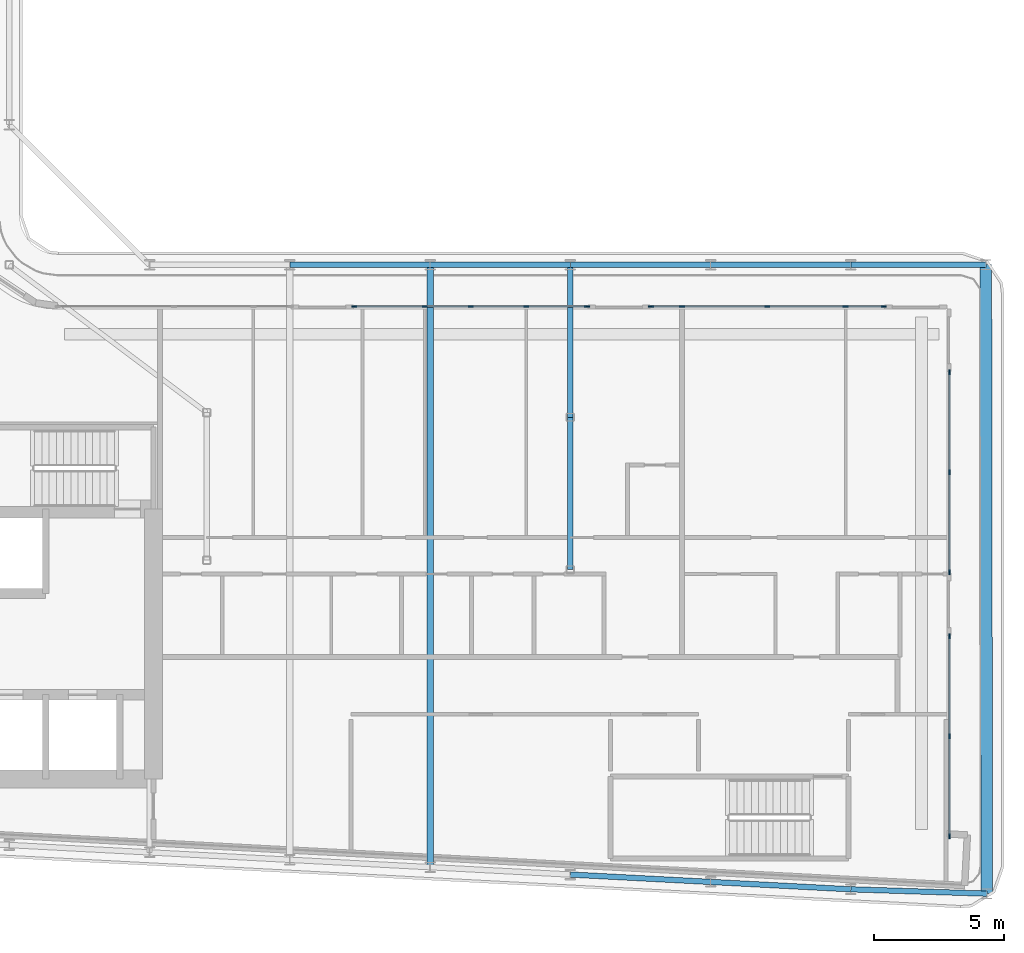
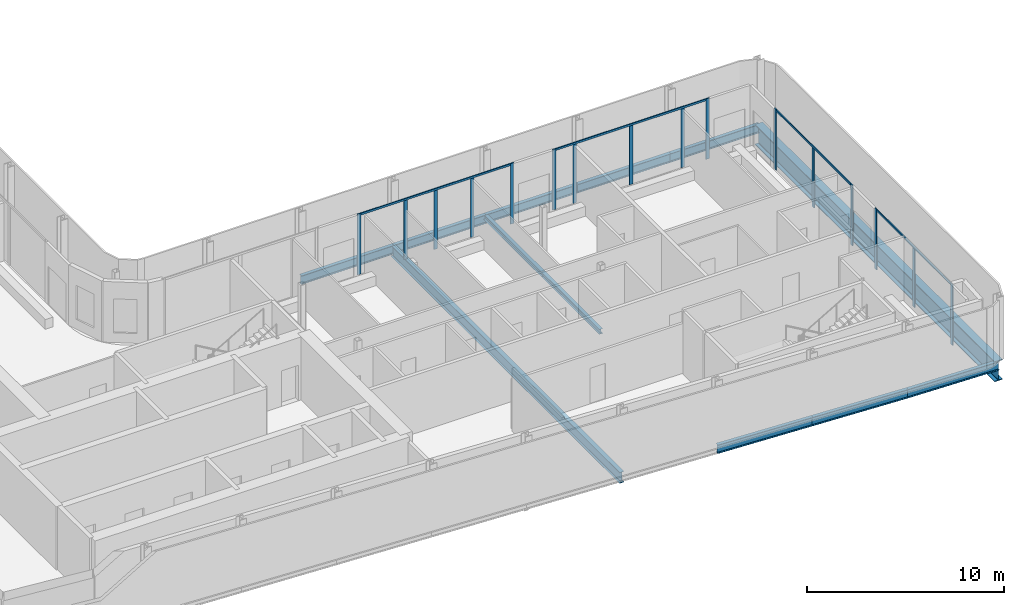
# One storey, part 5 of 21: 20 members, 12 beams, 4 elements without a shape of their own.
"""IFC4 building model written with IfcOpenShell, lengths in metres."""

import ifcopenshell
import ifcopenshell.guid

model = None  # the IFC model being written
_history = None  # IfcOwnerHistory: only IFC2X3 demands one
_inside = {}  # id of a spatial element -> (the spatial element, [elements in it])
_under = {}  # id of a project, library or spatial element -> (it, [spatial elements below it])
_declared = {}  # id of a project -> (the project, [libraries it declares])
_typed = {}  # id of a type object -> (the type object, [elements of that type])
_made_of = {}  # id of a material, layer set ... -> (it, [elements and type objects made of it])


def new_model(schema):
    """Start an empty IFC model of exactly this schema.

    Asked for "IFC4X3", IfcOpenShell would pick the latest addendum, in which some entities
    have other attributes; the version numbers below select the first issue.
    IFC2X3 requires an IfcOwnerHistory on every rooted entity: one is made here for all.
    """
    global model, _history
    if schema == "IFC4X3":
        model = ifcopenshell.file(schema_version=(4, 3, 0, 0))
    else:
        model = ifcopenshell.file(schema=schema)
    _inside.clear()
    _under.clear()
    _declared.clear()
    _typed.clear()
    _made_of.clear()
    _history = None
    if model.schema == "IFC2X3":
        org = make("IfcOrganization", Name="unknown")
        user = make(
            "IfcPersonAndOrganization",
            ThePerson=make("IfcPerson", FamilyName="unknown"),
            TheOrganization=org,
        )
        app = make(
            "IfcApplication",
            ApplicationDeveloper=org,
            Version="unknown",
            ApplicationFullName="unknown",
            ApplicationIdentifier="unknown",
        )
        _history = make(
            "IfcOwnerHistory",
            OwningUser=user,
            OwningApplication=app,
            ChangeAction="ADDED",
            CreationDate=0,
        )
    return model


def make(cls, **values):
    """One entity of the class cls with the attributes given. An attribute that is None is left unset."""
    return model.create_entity(
        cls, **{name: value for name, value in values.items() if value is not None}
    )


def rooted(cls, **values):
    """An entity with a GlobalId (a new one), such as an element, a storey or a relation."""
    return make(cls, GlobalId=ifcopenshell.guid.new(), OwnerHistory=_history, **values)


def si_unit(unit_type, name, prefix=None):
    """IfcSIUnit, for example si_unit("LENGTHUNIT", "METRE", prefix="MILLI")."""
    return make("IfcSIUnit", UnitType=unit_type, Prefix=prefix, Name=name)


def assignment(units):
    """IfcUnitAssignment: the units of a project."""
    return None if units is None else make("IfcUnitAssignment", Units=units)


def point(xyz):
    """IfcCartesianPoint."""
    return None if xyz is None else make("IfcCartesianPoint", Coordinates=xyz)


def direction(xyz):
    """IfcDirection."""
    return None if xyz is None else make("IfcDirection", DirectionRatios=xyz)


def frame(location, z_axis=None, x_axis=None):
    """IfcAxis2Placement3D, a coordinate frame: its origin and axes. An axis left out is left unset."""
    return make(
        "IfcAxis2Placement3D",
        Location=point(location),
        Axis=direction(z_axis),
        RefDirection=direction(x_axis),
    )


def frame_2d(location, x_axis=None):
    """IfcAxis2Placement2D, a coordinate frame in the plane: its origin and x axis."""
    return make(
        "IfcAxis2Placement2D", Location=point(location), RefDirection=direction(x_axis)
    )


def origin():
    """The frame at (0, 0, 0) with its axes left unset."""
    return frame((0.0, 0.0, 0.0))


def origin_2d():
    """The frame at (0, 0) in the plane with its x axis left unset."""
    return frame_2d((0.0, 0.0))


def place(relative_to, where):
    """IfcLocalPlacement: puts the frame where relative to a parent placement (None: the world)."""
    return make(
        "IfcLocalPlacement", PlacementRelTo=relative_to, RelativePlacement=where
    )


def context(
    kind, dimensions, precision=None, world=None, true_north=None, identifier=None
):
    """IfcGeometricRepresentationContext, for example the 3D "Model" context."""
    return make(
        "IfcGeometricRepresentationContext",
        ContextIdentifier=identifier,
        ContextType=kind,
        CoordinateSpaceDimension=dimensions,
        Precision=precision,
        WorldCoordinateSystem=world,
        TrueNorth=true_north,
    )


def subcontext(parent, identifier, kind, view, scale=None):
    """IfcGeometricRepresentationSubContext, for example "Body" below "Model"."""
    return make(
        "IfcGeometricRepresentationSubContext",
        ContextIdentifier=identifier,
        ContextType=kind,
        ParentContext=parent,
        TargetScale=scale,
        TargetView=view,
    )


def project(units=None, contexts=None):
    """IfcProject with its units and contexts."""
    return rooted(
        "IfcProject",
        Name="project",
        RepresentationContexts=contexts,
        UnitsInContext=assignment(units),
    )


def spatial(cls, under=None, at=None, **own):
    """A site, building, storey or space (cls), placed at a placement, below another one or the project."""
    s = rooted(cls, ObjectPlacement=at, **own)
    if under is not None:
        _under.setdefault(under.id(), (under, []))[1].append(s)
    return s


def profile(cls, at=None, kind="AREA", **sizes):
    """A parametric profile (cls). Its sizes go by their IFC names, for example OverallWidth=200.0."""
    return make(cls, ProfileType=kind, Position=at, **sizes)


def rectangle(**sizes):
    """IfcRectangleProfileDef."""
    return profile("IfcRectangleProfileDef", **sizes)


def i_section(**sizes):
    """IfcIShapeProfileDef."""
    return profile("IfcIShapeProfileDef", **sizes)


def extrude(swept, where, along, depth):
    """IfcExtrudedAreaSolid: the profile swept, set in the frame where, extruded along a direction by depth."""
    return make(
        "IfcExtrudedAreaSolid",
        SweptArea=swept,
        Position=where,
        ExtrudedDirection=direction(along),
        Depth=depth,
    )


def shape(context_of_items, identifier, shape_type, items):
    """IfcShapeRepresentation: the items that make up one representation, for example the "Body"."""
    return make(
        "IfcShapeRepresentation",
        ContextOfItems=context_of_items,
        RepresentationIdentifier=identifier,
        RepresentationType=shape_type,
        Items=items,
    )


def material(Name=None, Category=None):
    """IfcMaterial."""
    return make("IfcMaterial", Name=Name, Category=Category)


def layer(
    of_material, thickness, ventilated=None, Name=None, Category=None, Priority=None
):
    """IfcMaterialLayer: one layer of a wall or slab, of a material (None: an air gap)."""
    return make(
        "IfcMaterialLayer",
        Material=of_material,
        LayerThickness=thickness,
        IsVentilated=ventilated,
        Name=Name,
        Category=Category,
        Priority=Priority,
    )


def layer_set(layers, Name=None):
    """IfcMaterialLayerSet."""
    return make("IfcMaterialLayerSet", MaterialLayers=layers, LayerSetName=Name)


def material_profile(
    of_material, cross_section, Name=None, Category=None, Priority=None
):
    """IfcMaterialProfile: a cross section and its material."""
    return make(
        "IfcMaterialProfile",
        Name=Name,
        Material=of_material,
        Profile=cross_section,
        Priority=Priority,
        Category=Category,
    )


def profile_set(profiles, Name=None, composite=None):
    """IfcMaterialProfileSet."""
    return make(
        "IfcMaterialProfileSet",
        Name=Name,
        MaterialProfiles=profiles,
        CompositeProfile=composite,
    )


def made_of(thing, what):
    """Note that an element or type object is made of a material, layer set ...; save() writes the relation."""
    if what is not None:
        _made_of.setdefault(what.id(), (what, []))[1].append(thing)
    return thing


def type_object(cls, material=None, **own):
    """A type object (cls), such as IfcWallType, which elements share."""
    return made_of(rooted(cls, **own), material)


def element(
    cls,
    number,
    at=None,
    inside=None,
    cuts=None,
    type_object=None,
    material=None,
    context=None,
    identifier="Body",
    shape_type=None,
    held_by="IfcProductDefinitionShape",
    body=None,
    shapes=None,
    **own,
):
    """One element of the class cls, such as IfcWall. Its Tag is "e" and its number.

    at: its placement. inside: the storey or other place that contains it. cuts: it is an
    opening in that element (IfcRelVoidsElement). A single representation is given by context,
    identifier, shape_type and body (its items); several are given by shapes. held_by: the class
    of the entity that holds the representations. save() writes the other relations.
    """
    e = rooted(cls, Tag="e%d" % number, ObjectPlacement=at, **own)
    if body is not None:
        shapes = [shape(context, identifier, shape_type, body)]
    if shapes is not None:
        e.Representation = make(held_by, Representations=shapes)
    if inside is not None:
        _inside.setdefault(inside.id(), (inside, []))[1].append(e)
    if cuts is not None:
        rooted(
            "IfcRelVoidsElement", RelatingBuildingElement=cuts, RelatedOpeningElement=e
        )
    if type_object is not None:
        _typed.setdefault(type_object.id(), (type_object, []))[1].append(e)
    return made_of(e, material)


def aggregate(whole, parts):
    """IfcRelAggregates: a whole, such as a stair, and the parts it consists of."""
    return rooted("IfcRelAggregates", RelatingObject=whole, RelatedObjects=parts)


def save(model, path):
    """Write the relations noted so far, then the file.

    IfcRelAggregates (storeys below a building ...), IfcRelContainedInSpatialStructure (elements
    in a storey), IfcRelDefinesByType, IfcRelAssociatesMaterial and IfcRelDeclares: one each for
    every whole, place, type object, material and project.
    """
    for whole, parts in _under.values():
        aggregate(whole, parts)
    for where, things in _inside.values():
        rooted(
            "IfcRelContainedInSpatialStructure",
            RelatedElements=things,
            RelatingStructure=where,
        )
    for kind, things in _typed.values():
        rooted("IfcRelDefinesByType", RelatedObjects=things, RelatingType=kind)
    for what, things in _made_of.values():
        rooted("IfcRelAssociatesMaterial", RelatedObjects=things, RelatingMaterial=what)
    for by, libraries in _declared.values():
        rooted("IfcRelDeclares", RelatingContext=by, RelatedDefinitions=libraries)
    model.write(path)


model = new_model("IFC4")

# Units and contexts
model_context = context("Model", 3, precision=1e-05, world=origin(), true_north=direction((0.0, 1.0)))
body_context = subcontext(model_context, "Body", "Model", "MODEL_VIEW")
ifc_project = project(units=[si_unit("LENGTHUNIT", "METRE"), si_unit("AREAUNIT", "SQUARE_METRE"), si_unit("VOLUMEUNIT", "CUBIC_METRE"), si_unit("PLANEANGLEUNIT", "RADIAN"), si_unit("MASSUNIT", "GRAM", prefix="KILO")], contexts=[model_context])

# Site, building, storey
site_placement = place(None, origin())
site = spatial("IfcSite", under=ifc_project, at=site_placement, CompositionType="ELEMENT")
building_placement = place(site_placement, origin())
building = spatial("IfcBuilding", under=site, at=building_placement, Name="Kheshtan School and Residences Tower", CompositionType="ELEMENT")
storey_placement = place(building_placement, frame((0.0, 0.0, 224.0)))
storey = spatial("IfcBuildingStorey", under=building, at=storey_placement, Name="L52", CompositionType="ELEMENT", Elevation=224.0)

# Beams
ifc_material_1 = material(Name="Steel ASTM A992 Grade 50", Category="steel")
ifc_material_profile_1 = material_profile(ifc_material_1, i_section(OverallWidth=0.202880859375, OverallDepth=0.302978515625, WebThickness=0.007568359375, FlangeThickness=0.01318359375, FilletRadius=0.009033203125, at=origin_2d()), Name="W310x60")
ifc_profile_set_1 = profile_set([ifc_material_profile_1], Name="Steel ASTM A992 Grade 50")
beam_type_1 = type_object("IfcBeamType", Name="Beam FB1 W310x60 ASTM A992 Grade 50", PredefinedType="BEAM", material=ifc_profile_set_1)
beam_1_placement = place(storey_placement, frame((69.199951171875, 45.60009765625, -0.301513671875), z_axis=(0.0, -1.0, 0.0), x_axis=(1.0, 0.0, 0.0)))
element("IfcBeam", 1, at=beam_1_placement, inside=storey, type_object=beam_type_1, Name="Floor beam C064", PredefinedType="BEAM", context=body_context, shape_type="SweptSolid", body=[
    extrude(i_section(OverallWidth=0.202880859375, OverallDepth=0.302978515625, WebThickness=0.007568359375, FlangeThickness=0.01318359375, FilletRadius=0.009033203125, at=origin_2d()), origin(), (0.0, 0.0, 1.0), 5.8681640625),
])
beam_2_placement = place(storey_placement, frame((69.199951171875, 33.863037109375, -0.301513671875), z_axis=(0.0, 1.0, 0.0), x_axis=(-1.0, 0.0, 0.0)))
element("IfcBeam", 2, at=beam_2_placement, inside=storey, type_object=beam_type_1, Name="Floor beam IC", PredefinedType="BEAM", context=body_context, shape_type="SweptSolid", body=[
    extrude(i_section(OverallWidth=0.202880859375, OverallDepth=0.302978515625, WebThickness=0.007568359375, FlangeThickness=0.01318359375, FilletRadius=0.009033203125, at=origin_2d()), origin(), (0.0, 0.0, 1.0), 5.868896484375),
])
ifc_material_profile_2 = material_profile(ifc_material_1, i_section(OverallWidth=0.2529296875, OverallDepth=0.677978515625, WebThickness=0.01171875, FlangeThickness=0.016357421875, FilletRadius=0.0146484375, at=origin_2d()), Name="W690x125")
ifc_profile_set_2 = profile_set([ifc_material_profile_2], Name="Steel ASTM A992 Grade 50")
beam_type_2 = type_object("IfcBeamType", Name="Beam FB6 W690x125 ASTM A992 Grade 50", PredefinedType="BEAM", material=ifc_profile_set_2)
beam_3_placement = place(storey_placement, frame((63.800048828125, 22.410888671875, -0.489013671875), z_axis=(0.0, 1.0, 0.0), x_axis=(-1.0, 0.0, 0.0)))
element("IfcBeam", 3, at=beam_3_placement, inside=storey, type_object=beam_type_2, Name="Floor beam C016", PredefinedType="BEAM", context=body_context, shape_type="SweptSolid", body=[
    extrude(i_section(OverallWidth=0.2529296875, OverallDepth=0.677978515625, WebThickness=0.01171875, FlangeThickness=0.016357421875, FilletRadius=0.0146484375, at=origin_2d()), origin(), (0.0, 0.0, 1.0), 23.189208984375),
])
ifc_material_profile_3 = material_profile(ifc_material_1, i_section(OverallWidth=0.208984375, OverallDepth=0.532958984375, WebThickness=0.01025390625, FlangeThickness=0.015625, FilletRadius=0.013916015625, at=origin_2d()), Name="W530x92")
ifc_profile_set_3 = profile_set([ifc_material_profile_3], Name="Steel ASTM A992 Grade 50")
beam_type_3 = type_object("IfcBeamType", Name="Beam SP3 W530x92 ASTM A992 Grade 50", PredefinedType="BEAM", material=ifc_profile_set_3)
beam_4_placement = place(storey_placement, frame((58.39990234375, 45.60009765625, -0.41650390625), z_axis=(1.0, 0.0, 0.0), x_axis=(0.0, 1.0, 0.0)))
element("IfcBeam", 4, at=beam_4_placement, inside=storey, type_object=beam_type_3, Name="Spandrel beam C062-C063", PredefinedType="BEAM", context=body_context, shape_type="SweptSolid", body=[
    extrude(i_section(OverallWidth=0.208984375, OverallDepth=0.532958984375, WebThickness=0.01025390625, FlangeThickness=0.015625, FilletRadius=0.013916015625, at=origin_2d()), origin(), (0.0, 0.0, 1.0), 5.400146484375),
])
beam_5_placement = place(storey_placement, frame((63.800048828125, 45.60009765625, -0.41650390625), z_axis=(1.0, 0.0, 0.0), x_axis=(0.0, 1.0, 0.0)))
element("IfcBeam", 5, at=beam_5_placement, inside=storey, type_object=beam_type_3, Name="Spandrel beam C063-C064", PredefinedType="BEAM", context=body_context, shape_type="SweptSolid", body=[
    extrude(i_section(OverallWidth=0.208984375, OverallDepth=0.532958984375, WebThickness=0.01025390625, FlangeThickness=0.015625, FilletRadius=0.013916015625, at=origin_2d()), origin(), (0.0, 0.0, 1.0), 5.39990234375),
])
beam_6_placement = place(storey_placement, frame((69.199951171875, 45.60009765625, -0.41650390625), z_axis=(1.0, 0.0, 0.0), x_axis=(0.0, 1.0, 0.0)))
element("IfcBeam", 6, at=beam_6_placement, inside=storey, type_object=beam_type_3, Name="Spandrel beam C064-C065", PredefinedType="BEAM", context=body_context, shape_type="SweptSolid", body=[
    extrude(i_section(OverallWidth=0.208984375, OverallDepth=0.532958984375, WebThickness=0.01025390625, FlangeThickness=0.015625, FilletRadius=0.013916015625, at=origin_2d()), origin(), (0.0, 0.0, 1.0), 5.400146484375),
])
beam_7_placement = place(storey_placement, frame((74.60009765625, 45.60009765625, -0.41650390625), z_axis=(1.0, 0.0, 0.0), x_axis=(0.0, 1.0, 0.0)))
element("IfcBeam", 7, at=beam_7_placement, inside=storey, type_object=beam_type_3, Name="Spandrel beam C065-C066", PredefinedType="BEAM", context=body_context, shape_type="SweptSolid", body=[
    extrude(i_section(OverallWidth=0.208984375, OverallDepth=0.532958984375, WebThickness=0.01025390625, FlangeThickness=0.015625, FilletRadius=0.013916015625, at=origin_2d()), origin(), (0.0, 0.0, 1.0), 5.39990234375),
])
beam_8_placement = place(storey_placement, frame((80.0, 45.60009765625, -0.41650390625), z_axis=(0.999999135894, 0.001314614574, 0.0), x_axis=(-0.001314614574, 0.999999135894, 0.0)))
element("IfcBeam", 8, at=beam_8_placement, inside=storey, type_object=beam_type_3, Name="Spandrel beam C066-C071", PredefinedType="BEAM", context=body_context, shape_type="SweptSolid", body=[
    extrude(i_section(OverallWidth=0.208984375, OverallDepth=0.532958984375, WebThickness=0.01025390625, FlangeThickness=0.015625, FilletRadius=0.013916015625, at=origin_2d()), origin(), (0.0, 0.0, 1.0), 5.199951171875),
])
beam_9_placement = place(storey_placement, frame((85.238037109375, 21.39111328125, -0.41650390625), z_axis=(-0.999492198162, 0.031864491426, 0.0), x_axis=(-0.031864491426, -0.999492198162, 0.0)))
element("IfcBeam", 9, at=beam_9_placement, inside=storey, type_object=beam_type_3, Name="Spandrel beam C009-C012", PredefinedType="BEAM", context=body_context, shape_type="SweptSolid", body=[
    extrude(i_section(OverallWidth=0.208984375, OverallDepth=0.532958984375, WebThickness=0.01025390625, FlangeThickness=0.015625, FilletRadius=0.013916015625, at=origin_2d()), origin(), (0.0, 0.0, 1.0), 5.24072265625),
])
beam_10_placement = place(storey_placement, frame((80.0, 21.55810546875, -0.41650390625), z_axis=(-0.998610961136, 0.052689166816, 0.0), x_axis=(-0.052689166816, -0.998610961136, 0.0)))
element("IfcBeam", 10, at=beam_10_placement, inside=storey, type_object=beam_type_3, Name="Spandrel beam C012-C013", PredefinedType="BEAM", context=body_context, shape_type="SweptSolid", body=[
    extrude(i_section(OverallWidth=0.208984375, OverallDepth=0.532958984375, WebThickness=0.01025390625, FlangeThickness=0.015625, FilletRadius=0.013916015625, at=origin_2d()), origin(), (0.0, 0.0, 1.0), 5.407470703125),
])
beam_11_placement = place(storey_placement, frame((74.60009765625, 21.843017578125, -0.41650390625), z_axis=(-0.998620571751, 0.05250670125, 0.0), x_axis=(-0.05250670125, -0.998620571751, 0.0)))
element("IfcBeam", 11, at=beam_11_placement, inside=storey, type_object=beam_type_3, Name="Spandrel beam C013-C014", PredefinedType="BEAM", context=body_context, shape_type="SweptSolid", body=[
    extrude(i_section(OverallWidth=0.208984375, OverallDepth=0.532958984375, WebThickness=0.01025390625, FlangeThickness=0.015625, FilletRadius=0.013916015625, at=origin_2d()), origin(), (0.0, 0.0, 1.0), 5.40771484375),
])

# Curtain wall, members
ifc_material_2 = material(Name="Clear low-e glass in thermally broken aluminium frame", Category="aluminium")
ifc_layer = layer(ifc_material_2, 0.199951171875)
ifc_layer_set = layer_set([ifc_layer], Name="Curtain wall CW-L")
curtain_wall_type = type_object("IfcCurtainWallType", Name="Curtain wall CW-L", PredefinedType="NOTDEFINED", material=ifc_layer_set)
curtain_wall_1_placement = place(storey_placement, origin())
curtain_wall_1 = element("IfcCurtainWall", 12, at=curtain_wall_1_placement, inside=storey, type_object=curtain_wall_type, Name="Curtain wall CWL8p", PredefinedType="NOTDEFINED")
ifc_material_3 = material(Name="Thermally broken aluminium, dark bronze anodised", Category="aluminium")
ifc_material_profile_4 = material_profile(ifc_material_3, rectangle(XDim=0.06005859375, YDim=0.199951171875, at=origin_2d()), Name="CW-L mullion 60x200")
ifc_profile_set_4 = profile_set([ifc_material_profile_4], Name="Thermally broken aluminium, dark bronze anodised")
member_type_1 = type_object("IfcMemberType", Name="CW-L mullion 60x200", PredefinedType="MULLION", material=ifc_profile_set_4)
member_1_placement = place(storey_placement, frame((60.88330078125, 44.0, 0.0), z_axis=(0.0, 0.0, 1.0), x_axis=(0.0, 1.0, 0.0)))
member_1 = element("IfcMember", 13, at=member_1_placement, type_object=member_type_1, Name="CWL8p mullion 1", PredefinedType="MULLION", context=body_context, shape_type="SweptSolid", body=[
    extrude(rectangle(XDim=0.06005859375, YDim=0.199951171875, at=origin_2d()), origin(), (0.0, 0.0, 1.0), 3.75),
])
member_2_placement = place(storey_placement, frame((63.60009765625, 44.0, 0.0), z_axis=(0.0, 0.0, 1.0), x_axis=(0.0, 1.0, 0.0)))
member_2 = element("IfcMember", 14, at=member_2_placement, type_object=member_type_1, Name="CWL8p mullion 2", PredefinedType="MULLION", context=body_context, shape_type="SweptSolid", body=[
    extrude(rectangle(XDim=0.06005859375, YDim=0.199951171875, at=origin_2d()), origin(), (0.0, 0.0, 1.0), 3.6298828125),
])
member_3_placement = place(storey_placement, frame((65.364990234375, 44.0, 0.0), z_axis=(0.0, 0.0, 1.0), x_axis=(0.0, 1.0, 0.0)))
member_3 = element("IfcMember", 15, at=member_3_placement, type_object=member_type_1, Name="CWL8p mullion 3", PredefinedType="MULLION", context=body_context, shape_type="SweptSolid", body=[
    extrude(rectangle(XDim=0.06005859375, YDim=0.199951171875, at=origin_2d()), origin(), (0.0, 0.0, 1.0), 3.6298828125),
])
member_4_placement = place(storey_placement, frame((67.5, 44.0, 0.0), z_axis=(0.0, 0.0, 1.0), x_axis=(0.0, 1.0, 0.0)))
member_4 = element("IfcMember", 16, at=member_4_placement, type_object=member_type_1, Name="CWL8p mullion 4", PredefinedType="MULLION", context=body_context, shape_type="SweptSolid", body=[
    extrude(rectangle(XDim=0.06005859375, YDim=0.199951171875, at=origin_2d()), origin(), (0.0, 0.0, 1.0), 3.6298828125),
])
member_5_placement = place(storey_placement, frame((69.8466796875, 44.0, 0.0), z_axis=(0.0, 0.0, 1.0), x_axis=(0.0, 1.0, 0.0)))
member_5 = element("IfcMember", 17, at=member_5_placement, type_object=member_type_1, Name="CWL8p mullion 5", PredefinedType="MULLION", context=body_context, shape_type="SweptSolid", body=[
    extrude(rectangle(XDim=0.06005859375, YDim=0.199951171875, at=origin_2d()), origin(), (0.0, 0.0, 1.0), 3.75),
])

curtain_wall_2_placement = place(storey_placement, origin())
curtain_wall_2 = element("IfcCurtainWall", 18, at=curtain_wall_2_placement, inside=storey, type_object=curtain_wall_type, Name="Curtain wall CWL8p", PredefinedType="NOTDEFINED")
member_6_placement = place(storey_placement, frame((72.306640625, 44.0, 0.0), z_axis=(0.0, 0.0, 1.0), x_axis=(0.0, 1.0, 0.0)))
member_6 = element("IfcMember", 19, at=member_6_placement, type_object=member_type_1, Name="CWL8p mullion 1", PredefinedType="MULLION", context=body_context, shape_type="SweptSolid", body=[
    extrude(rectangle(XDim=0.06005859375, YDim=0.199951171875, at=origin_2d()), origin(), (0.0, 0.0, 1.0), 3.75),
])
member_7_placement = place(storey_placement, frame((73.5, 44.0, 0.0), z_axis=(0.0, 0.0, 1.0), x_axis=(0.0, 1.0, 0.0)))
member_7 = element("IfcMember", 20, at=member_7_placement, type_object=member_type_1, Name="CWL8p mullion 2", PredefinedType="MULLION", context=body_context, shape_type="SweptSolid", body=[
    extrude(rectangle(XDim=0.06005859375, YDim=0.199951171875, at=origin_2d()), origin(), (0.0, 0.0, 1.0), 3.6298828125),
])
member_8_placement = place(storey_placement, frame((76.788330078125, 44.0, 0.0), z_axis=(0.0, 0.0, 1.0), x_axis=(0.0, 1.0, 0.0)))
member_8 = element("IfcMember", 21, at=member_8_placement, type_object=member_type_1, Name="CWL8p mullion 3", PredefinedType="MULLION", context=body_context, shape_type="SweptSolid", body=[
    extrude(rectangle(XDim=0.06005859375, YDim=0.199951171875, at=origin_2d()), origin(), (0.0, 0.0, 1.0), 3.6298828125),
])
member_9_placement = place(storey_placement, frame((79.800048828125, 44.0, 0.0), z_axis=(0.0, 0.0, 1.0), x_axis=(0.0, 1.0, 0.0)))
member_9 = element("IfcMember", 22, at=member_9_placement, type_object=member_type_1, Name="CWL8p mullion 4", PredefinedType="MULLION", context=body_context, shape_type="SweptSolid", body=[
    extrude(rectangle(XDim=0.06005859375, YDim=0.199951171875, at=origin_2d()), origin(), (0.0, 0.0, 1.0), 3.6298828125),
])
member_10_placement = place(storey_placement, frame((81.27001953125, 44.0, 0.0), z_axis=(0.0, 0.0, 1.0), x_axis=(0.0, 1.0, 0.0)))
member_10 = element("IfcMember", 23, at=member_10_placement, type_object=member_type_1, Name="CWL8p mullion 5", PredefinedType="MULLION", context=body_context, shape_type="SweptSolid", body=[
    extrude(rectangle(XDim=0.06005859375, YDim=0.199951171875, at=origin_2d()), origin(), (0.0, 0.0, 1.0), 3.75),
])

curtain_wall_3_placement = place(storey_placement, origin())
curtain_wall_3 = element("IfcCurtainWall", 24, at=curtain_wall_3_placement, inside=storey, type_object=curtain_wall_type, Name="Curtain wall CWL9a", PredefinedType="NOTDEFINED")
member_11_placement = place(storey_placement, frame((83.800048828125, 41.469970703125, 0.0), z_axis=(0.0, 0.0, 1.0), x_axis=(1.0, 0.0, 0.0)))
member_11 = element("IfcMember", 25, at=member_11_placement, type_object=member_type_1, Name="CWL9a mullion 1", PredefinedType="MULLION", context=body_context, shape_type="SweptSolid", body=[
    extrude(rectangle(XDim=0.06005859375, YDim=0.199951171875, at=origin_2d()), origin(), (0.0, 0.0, 1.0), 3.75),
])
member_12_placement = place(storey_placement, frame((83.800048828125, 37.61669921875, 0.0), z_axis=(0.0, 0.0, 1.0), x_axis=(1.0, 0.0, 0.0)))
member_12 = element("IfcMember", 26, at=member_12_placement, type_object=member_type_1, Name="CWL9a mullion 2", PredefinedType="MULLION", context=body_context, shape_type="SweptSolid", body=[
    extrude(rectangle(XDim=0.06005859375, YDim=0.199951171875, at=origin_2d()), origin(), (0.0, 0.0, 1.0), 3.6298828125),
])
member_13_placement = place(storey_placement, frame((83.800048828125, 33.763427734375, 0.0), z_axis=(0.0, 0.0, 1.0), x_axis=(1.0, 0.0, 0.0)))
member_13 = element("IfcMember", 27, at=member_13_placement, type_object=member_type_1, Name="CWL9a mullion 3", PredefinedType="MULLION", context=body_context, shape_type="SweptSolid", body=[
    extrude(rectangle(XDim=0.06005859375, YDim=0.199951171875, at=origin_2d()), origin(), (0.0, 0.0, 1.0), 3.75),
])

curtain_wall_4_placement = place(storey_placement, origin())
curtain_wall_4 = element("IfcCurtainWall", 28, at=curtain_wall_4_placement, inside=storey, type_object=curtain_wall_type, Name="Curtain wall CWL9a", PredefinedType="NOTDEFINED")
member_14_placement = place(storey_placement, frame((83.800048828125, 31.303466796875, 0.0), z_axis=(0.0, 0.0, 1.0), x_axis=(1.0, 0.0, 0.0)))
member_14 = element("IfcMember", 29, at=member_14_placement, type_object=member_type_1, Name="CWL9a mullion 1", PredefinedType="MULLION", context=body_context, shape_type="SweptSolid", body=[
    extrude(rectangle(XDim=0.06005859375, YDim=0.199951171875, at=origin_2d()), origin(), (0.0, 0.0, 1.0), 3.75),
])
member_15_placement = place(storey_placement, frame((83.800048828125, 27.4501953125, 0.0), z_axis=(0.0, 0.0, 1.0), x_axis=(1.0, 0.0, 0.0)))
member_15 = element("IfcMember", 30, at=member_15_placement, type_object=member_type_1, Name="CWL9a mullion 2", PredefinedType="MULLION", context=body_context, shape_type="SweptSolid", body=[
    extrude(rectangle(XDim=0.06005859375, YDim=0.199951171875, at=origin_2d()), origin(), (0.0, 0.0, 1.0), 3.6298828125),
])
member_16_placement = place(storey_placement, frame((83.800048828125, 23.596923828125, 0.0), z_axis=(0.0, 0.0, 1.0), x_axis=(1.0, 0.0, 0.0)))
member_16 = element("IfcMember", 31, at=member_16_placement, type_object=member_type_1, Name="CWL9a mullion 3", PredefinedType="MULLION", context=body_context, shape_type="SweptSolid", body=[
    extrude(rectangle(XDim=0.06005859375, YDim=0.199951171875, at=origin_2d()), origin(), (0.0, 0.0, 1.0), 3.75),
])

# Member
ifc_material_profile_5 = material_profile(ifc_material_3, rectangle(XDim=0.06005859375, YDim=0.1201171875, at=origin_2d()), Name="CW-L transom 60x120")
ifc_profile_set_5 = profile_set([ifc_material_profile_5], Name="Thermally broken aluminium, dark bronze anodised")
member_type_2 = type_object("IfcMemberType", Name="CW-L transom 60x120", PredefinedType="USERDEFINED", material=ifc_profile_set_5)
member_17_placement = place(storey_placement, frame((60.913330078125, 44.0, 3.68994140625), z_axis=(1.0, 0.0, 0.0), x_axis=(0.0, 1.0, 0.0)))
member_17 = element("IfcMember", 32, at=member_17_placement, type_object=member_type_2, Name="CWL8p transom 1", ObjectType="TRANSOM", PredefinedType="USERDEFINED", context=body_context, shape_type="SweptSolid", body=[
    extrude(rectangle(XDim=0.06005859375, YDim=0.1201171875, at=origin_2d()), origin(), (0.0, 0.0, 1.0), 8.9033203125),
])

aggregate(curtain_wall_1, [member_1, member_2, member_3, member_4, member_5, member_17])

member_18_placement = place(storey_placement, frame((72.336669921875, 44.0, 3.68994140625), z_axis=(1.0, 0.0, 0.0), x_axis=(0.0, 1.0, 0.0)))
member_18 = element("IfcMember", 33, at=member_18_placement, type_object=member_type_2, Name="CWL8p transom 1", ObjectType="TRANSOM", PredefinedType="USERDEFINED", context=body_context, shape_type="SweptSolid", body=[
    extrude(rectangle(XDim=0.06005859375, YDim=0.1201171875, at=origin_2d()), origin(), (0.0, 0.0, 1.0), 8.9033203125),
])

aggregate(curtain_wall_2, [member_6, member_7, member_8, member_9, member_10, member_18])

member_19_placement = place(storey_placement, frame((83.800048828125, 41.43994140625, 3.68994140625), z_axis=(0.0, -1.0, 0.0), x_axis=(1.0, 0.0, 0.0)))
member_19 = element("IfcMember", 34, at=member_19_placement, type_object=member_type_2, Name="CWL9a transom 1", ObjectType="TRANSOM", PredefinedType="USERDEFINED", context=body_context, shape_type="SweptSolid", body=[
    extrude(rectangle(XDim=0.06005859375, YDim=0.1201171875, at=origin_2d()), origin(), (0.0, 0.0, 1.0), 7.646484375),
])

aggregate(curtain_wall_3, [member_11, member_12, member_13, member_19])

member_20_placement = place(storey_placement, frame((83.800048828125, 31.2734375, 3.68994140625), z_axis=(0.0, -1.0, 0.0), x_axis=(1.0, 0.0, 0.0)))
member_20 = element("IfcMember", 35, at=member_20_placement, type_object=member_type_2, Name="CWL9a transom 1", ObjectType="TRANSOM", PredefinedType="USERDEFINED", context=body_context, shape_type="SweptSolid", body=[
    extrude(rectangle(XDim=0.06005859375, YDim=0.1201171875, at=origin_2d()), origin(), (0.0, 0.0, 1.0), 7.646484375),
])

aggregate(curtain_wall_4, [member_14, member_15, member_16, member_20])

# Beam
ifc_material_profile_6 = material_profile(ifc_material_1, i_section(OverallWidth=0.449951171875, OverallDepth=1.25, WebThickness=0.02490234375, FlangeThickness=0.044921875, FilletRadius=0.03759765625, at=origin_2d()), Name="WWF1250x546")
ifc_profile_set_6 = profile_set([ifc_material_profile_6], Name="Steel ASTM A992 Grade 50")
beam_type_4 = type_object("IfcBeamType", Name="Transfer girder TG4 WWF1250x546 ASTM A992 Grade 50", PredefinedType="BEAM", material=ifc_profile_set_6)
beam_12_placement = place(storey_placement, frame((85.199951171875, 45.60693359375, -0.77490234375), z_axis=(0.001572768954, -0.999998763198, 0.0), x_axis=(0.999998763198, 0.001572768954, 0.0)))
element("IfcBeam", 36, at=beam_12_placement, inside=storey, type_object=beam_type_4, Name="Transfer girder C071-C009", PredefinedType="BEAM", context=body_context, shape_type="SweptSolid", body=[
    extrude(i_section(OverallWidth=0.449951171875, OverallDepth=1.25, WebThickness=0.02490234375, FlangeThickness=0.044921875, FilletRadius=0.03759765625, at=origin_2d()), origin(), (0.0, 0.0, 1.0), 24.2158203125),
])

save(model, "model.ifc")
